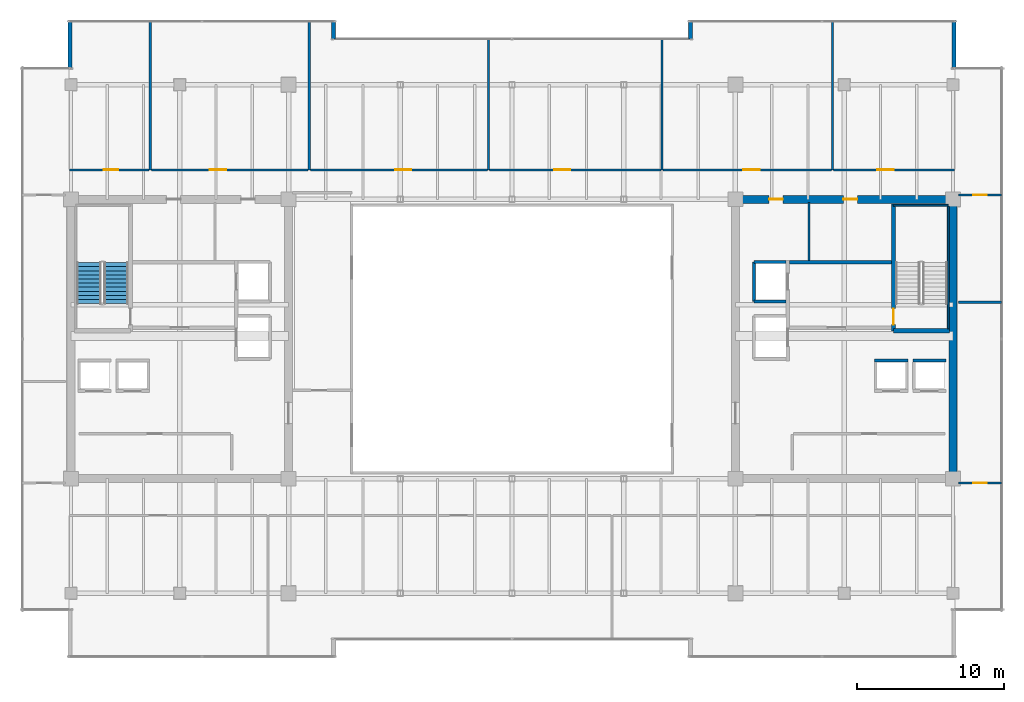
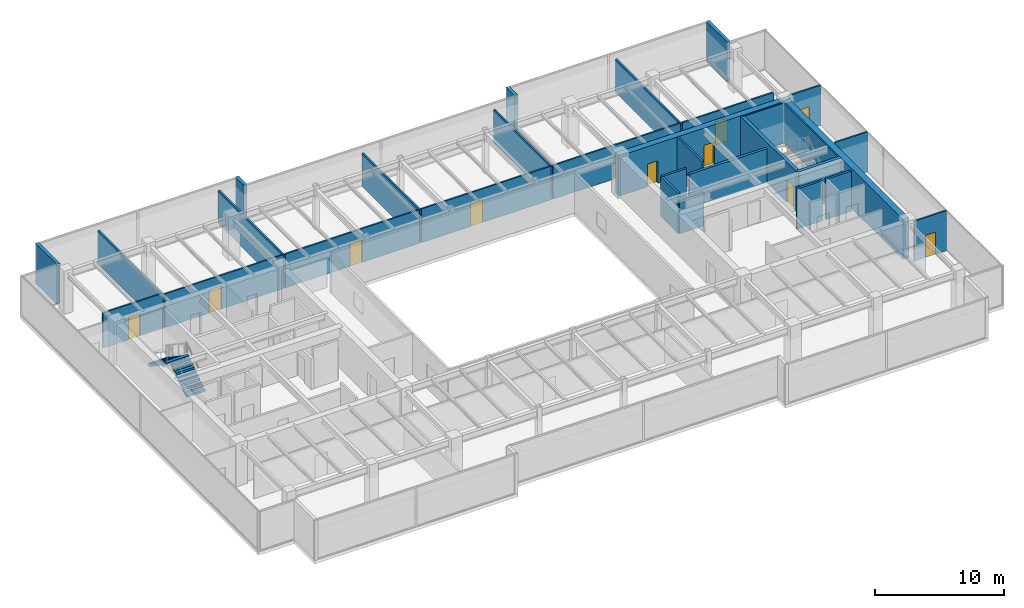
# One storey, part 30 of 35: 31 walls, 11 doors, 2 stair flights, 11 openings, 1 element without a shape of its own.
"""IFC4 building model written with IfcOpenShell, lengths in metres."""

from ifc_helpers import new_model, si_unit, direction, frame, frame_2d, origin, place, context, subcontext, project, spatial, polyline, rectangle, outline, extrude, source, transform, mapped, material, layer, layer_set, type_object, type_shapes, element, fill, aggregate, save


model = new_model("IFC4")

# Units and contexts
model_context = context("Model", 3, precision=1e-05, world=origin(), true_north=direction((0.0, 1.0)))
body_context = subcontext(model_context, "Body", "Model", "MODEL_VIEW")
ifc_project = project(units=[si_unit("LENGTHUNIT", "METRE"), si_unit("AREAUNIT", "SQUARE_METRE"), si_unit("VOLUMEUNIT", "CUBIC_METRE"), si_unit("PLANEANGLEUNIT", "RADIAN"), si_unit("MASSUNIT", "GRAM", prefix="KILO")], contexts=[model_context])

# Site, building, storey
site_placement = place(None, origin())
site = spatial("IfcSite", under=ifc_project, at=site_placement, CompositionType="ELEMENT")
building_placement = place(site_placement, origin())
building = spatial("IfcBuilding", under=site, at=building_placement, Name="Haelvirn Gate Laboratories", CompositionType="ELEMENT")
storey_placement = place(building_placement, frame((0.0, 0.0, 234.199951171875)))
storey = spatial("IfcBuildingStorey", under=building, at=storey_placement, Name="L56", CompositionType="ELEMENT", Elevation=234.199951171875)

# Walls
ifc_material_1 = material(Name="Thermally-broken bronze aluminium rainscreen & mineral wool", Category="aluminium")
ifc_layer_1 = layer(ifc_material_1, 0.280029296875, Name="EW-TERR-280")
ifc_layer_set_1 = layer_set([ifc_layer_1], Name="Thermally-broken bronze aluminium rainscreen & mineral wool")
wall_type_1 = type_object("IfcWallType", Name="EW-TERR-280", PredefinedType="STANDARD", material=ifc_layer_set_1)
wall_1_placement = place(storey_placement, frame((67.4599609375, 42.7119140625, 0.0), z_axis=(0.0, 0.0, 1.0), x_axis=(0.0, 1.0, 0.0)))
element("IfcWall", 1, at=wall_1_placement, inside=storey, type_object=wall_type_1, Name="L56 Atrium Recess Bronze Return Wall 09", PredefinedType="STANDARD", context=body_context, shape_type="SweptSolid", body=[
    extrude(rectangle(XDim=3.2880859375, YDim=0.280029296875, at=frame_2d((1.64404296875, 0.0))), origin(), (0.0, 0.0, 1.0), 3.800048828125),
])
for number, where, z_axis, x_axis, name in (
    (2, (49.5400390625, 46.0, 0.0), (0.0, 0.0, 1.0), (0.0, -1.0, 0.0), "L56 Atrium Recess Bronze Return Wall 11"),
    (3, (25.260009765625, 44.70703125, 0.0), (0.0, 0.0, 1.0), (0.0, 1.0, 0.0), "L56 Atrium Recess Bronze Return Wall 13"),
):
    element("IfcWall", number, at=place(storey_placement, frame(where, z_axis=z_axis, x_axis=x_axis)), inside=storey, type_object=wall_type_1, Name=name, PredefinedType="STANDARD", context=body_context, shape_type="SweptSolid", body=[
        extrude(rectangle(XDim=1.29296875, YDim=0.280029296875, at=frame_2d((0.646484375, 0.0))), origin(), (0.0, 0.0, 1.0), 3.800048828125),
    ])
wall_2_placement = place(storey_placement, frame((7.340087890625, 46.0, 0.0), z_axis=(0.0, 0.0, 1.0), x_axis=(0.0, -1.0, 0.0)))
element("IfcWall", 4, at=wall_2_placement, inside=storey, type_object=wall_type_1, Name="L56 Atrium Recess Bronze Return Wall 15", PredefinedType="STANDARD", context=body_context, shape_type="SweptSolid", body=[
    extrude(rectangle(XDim=3.2880859375, YDim=0.280029296875, at=frame_2d((1.64404296875, 0.0))), origin(), (0.0, 0.0, 1.0), 3.800048828125),
])
ifc_material_2 = material(Name="Double-layer acoustic gypsum laboratory partition", Category="gypsum")
ifc_layer_2 = layer(ifc_material_2, 0.159912109375, Name="IW-ACOUST-160")
ifc_layer_set_2 = layer_set([ifc_layer_2], Name="Double-layer acoustic gypsum laboratory partition")
wall_type_2 = type_object("IfcWallType", Name="IW-ACOUST-160", PredefinedType="PARTITIONING", material=ifc_layer_set_2)
for number, where, z_axis, x_axis, name in (
    (5, (12.800048828125, 35.81005859375, 0.0), (0.0, 0.0, 1.0), (0.0, 1.0, 0.0), "L56 Interior Wall IW-L56-NDIV-01"),
    (6, (23.60009765625, 35.81005859375, 0.0), (0.0, 0.0, 1.0), (0.0, 1.0, 0.0), "L56 Interior Wall IW-L56-NDIV-02"),
):
    element("IfcWall", number, at=place(storey_placement, frame(where, z_axis=z_axis, x_axis=x_axis)), inside=storey, type_object=wall_type_2, Name=name, PredefinedType="PARTITIONING", context=body_context, shape_type="SweptSolid", body=[
        extrude(rectangle(XDim=10.079833984375, YDim=0.159912109375, at=frame_2d((5.0400390625, 0.0))), origin(), (0.0, 0.0, 1.0), 3.135009765625),
    ])
for number, where, z_axis, x_axis, name in (
    (7, (35.800048828125, 35.81005859375, 0.0), (0.0, 0.0, 1.0), (0.0, 1.0, 0.0), "L56 Interior Wall IW-L56-NDIV-03"),
    (8, (47.60009765625, 35.81005859375, 0.0), (0.0, 0.0, 1.0), (0.0, 1.0, 0.0), "L56 Interior Wall IW-L56-NDIV-04"),
):
    element("IfcWall", number, at=place(storey_placement, frame(where, z_axis=z_axis, x_axis=x_axis)), inside=storey, type_object=wall_type_2, Name=name, PredefinedType="PARTITIONING", context=body_context, shape_type="SweptSolid", body=[
        extrude(rectangle(XDim=8.8798828125, YDim=0.159912109375, at=frame_2d((4.43994140625, 0.0))), origin(), (0.0, 0.0, 1.0), 3.135009765625),
    ])
wall_3_placement = place(storey_placement, frame((59.199951171875, 35.81005859375, 0.0), z_axis=(0.0, 0.0, 1.0), x_axis=(0.0, 1.0, 0.0)))
element("IfcWall", 9, at=wall_3_placement, inside=storey, type_object=wall_type_2, Name="L56 Interior Wall IW-L56-NDIV-05", PredefinedType="PARTITIONING", context=body_context, shape_type="SweptSolid", body=[
    extrude(rectangle(XDim=10.079833984375, YDim=0.159912109375, at=frame_2d((5.0400390625, 0.0))), origin(), (0.0, 0.0, 1.0), 3.135009765625),
])

# Wall, opening, door
ifc_material_3 = material(Name="Acoustic mineral-wool gypsum board partition", Category="gypsum")
ifc_layer_3 = layer(ifc_material_3, 0.139892578125, Name="IW-PART-140")
ifc_layer_set_3 = layer_set([ifc_layer_3], Name="Acoustic mineral-wool gypsum board partition")
wall_type_3 = type_object("IfcWallType", Name="IW-PART-140", PredefinedType="PARTITIONING", material=ifc_layer_set_3)
wall_4_placement = place(storey_placement, frame((7.31005859375, 35.81005859375, 0.0), z_axis=(0.0, 0.0, 1.0), x_axis=(1.0, 0.0, 0.0)))
wall_4 = element("IfcWall", 10, at=wall_4_placement, inside=storey, type_object=wall_type_3, Name="L56 Interior Wall IW-L56-NCORR-01", PredefinedType="PARTITIONING", context=body_context, shape_type="SweptSolid", body=[
    extrude(rectangle(XDim=5.409912109375, YDim=0.139892578125, at=frame_2d((2.705078125, 0.0))), origin(), (0.0, 0.0, 1.0), 3.3349609375),
])
opening_1_placement = place(wall_4_placement, frame((2.31640625, 0.0, 0.0)))
opening_1 = element("IfcOpeningElement", 11, at=opening_1_placement, cuts=wall_4, Name="Opening D2", PredefinedType="OPENING", context=body_context, shape_type="SweptSolid", body=[
    extrude(rectangle(XDim=1.0, YDim=2.14990234375, at=frame_2d((0.5, 1.074951171875))), frame((0.0, 0.080078125, 0.0), z_axis=(0.0, -1.0, 0.0), x_axis=(1.0, 0.0, 0.0)), (0.0, 0.0, 1.0), 0.159912109375),
])
ifc_material_4 = material(Name="Acoustic solid-core timber suite door", Category="wood")
door_type_1 = type_object("IfcDoorType", Name="DR-INT-1000", OperationType="NOTDEFINED", PredefinedType="DOOR", material=ifc_material_4)
shared_shape_1 = source(origin(), body_context, "Body", "SweptSolid", [
    extrude(rectangle(XDim=1.0, YDim=2.14990234375, at=frame_2d((0.5, 1.074951171875))), frame((0.0, 0.02490234375, 0.0), z_axis=(0.0, -1.0, 0.0), x_axis=(1.0, 0.0, 0.0)), (0.0, 0.0, 1.0), 0.050048828125),
])
type_shapes(door_type_1, [shared_shape_1])
door_1_placement = place(opening_1_placement, origin())
door_1 = element("IfcDoor", 12, at=door_1_placement, inside=storey, type_object=door_type_1, Name="L56 Protocol Briefing Training Room Door N1", OperationType="SINGLE_SWING_RIGHT", OverallHeight=2.14990234375, OverallWidth=1.0, PredefinedType="DOOR", context=body_context, shape_type="MappedRepresentation", body=[
    mapped(shared_shape_1, transform((0.0, 0.0, 0.0), scale=1.0)),
])
fill(opening_1, door_1)

wall_5_placement = place(storey_placement, frame((12.8798828125, 35.81005859375, 0.0), z_axis=(0.0, 0.0, 1.0), x_axis=(1.0, 0.0, 0.0)))
wall_5 = element("IfcWall", 13, at=wall_5_placement, inside=storey, type_object=wall_type_3, Name="L56 Interior Wall IW-L56-NCORR-02", PredefinedType="PARTITIONING", context=body_context, shape_type="SweptSolid", body=[
    extrude(rectangle(XDim=10.64013671875, YDim=0.139892578125, at=frame_2d((5.320068359375, 0.0))), origin(), (0.0, 0.0, 1.0), 3.197021484375),
])
opening_2_placement = place(wall_5_placement, frame((3.974365234375, 0.0, 0.0)))
opening_2 = element("IfcOpeningElement", 14, at=opening_2_placement, cuts=wall_5, Name="Opening D1", PredefinedType="OPENING", context=body_context, shape_type="SweptSolid", body=[
    extrude(rectangle(XDim=1.10009765625, YDim=2.179931640625, at=frame_2d((0.550048828125, 1.08984375))), frame((0.0, 0.080078125, 0.0), z_axis=(0.0, -1.0, 0.0), x_axis=(1.0, 0.0, 0.0)), (0.0, 0.0, 1.0), 0.159912109375),
])
ifc_material_5 = material(Name="Vision-panel acoustic solid-core timber lab door", Category="wood")
door_type_2 = type_object("IfcDoorType", Name="DR-LAB-1100", OperationType="NOTDEFINED", PredefinedType="DOOR", material=ifc_material_5)
shared_shape_2 = source(origin(), body_context, "Body", "SweptSolid", [
    extrude(rectangle(XDim=1.10009765625, YDim=2.179931640625, at=frame_2d((0.550048828125, 1.08984375))), frame((0.0, 0.02490234375, 0.0), z_axis=(0.0, -1.0, 0.0), x_axis=(1.0, 0.0, 0.0)), (0.0, 0.0, 1.0), 0.050048828125),
])
type_shapes(door_type_2, [shared_shape_2])
door_2_placement = place(opening_2_placement, origin())
door_2 = element("IfcDoor", 15, at=door_2_placement, inside=storey, type_object=door_type_2, Name="L56 Analytical Instrument Suite Door N2", OperationType="SINGLE_SWING_LEFT", OverallHeight=2.179931640625, OverallWidth=1.10009765625, PredefinedType="DOOR", context=body_context, shape_type="MappedRepresentation", body=[
    mapped(shared_shape_2, transform((0.0, 0.0, 0.0), scale=1.0)),
])
fill(opening_2, door_2)

wall_6_placement = place(storey_placement, frame((23.679931640625, 35.81005859375, 0.0), z_axis=(0.0, 0.0, 1.0), x_axis=(1.0, 0.0, 0.0)))
wall_6 = element("IfcWall", 16, at=wall_6_placement, inside=storey, type_object=wall_type_3, Name="L56 Interior Wall IW-L56-NCORR-03", PredefinedType="PARTITIONING", context=body_context, shape_type="SweptSolid", body=[
    extrude(rectangle(XDim=12.0400390625, YDim=0.139892578125, at=frame_2d((6.02001953125, 0.0))), origin(), (0.0, 0.0, 1.0), 3.197021484375),
])
opening_3_placement = place(wall_6_placement, frame((5.777099609375, 0.0, 0.0)))
opening_3 = element("IfcOpeningElement", 17, at=opening_3_placement, cuts=wall_6, Name="Opening D1", PredefinedType="OPENING", context=body_context, shape_type="SweptSolid", body=[
    extrude(rectangle(XDim=1.10009765625, YDim=2.179931640625, at=frame_2d((0.550048828125, 1.08984375))), frame((0.0, 0.080078125, 0.0), z_axis=(0.0, -1.0, 0.0), x_axis=(1.0, 0.0, 0.0)), (0.0, 0.0, 1.0), 0.159912109375),
])
door_3_placement = place(opening_3_placement, origin())
door_3 = element("IfcDoor", 18, at=door_3_placement, inside=storey, type_object=door_type_2, Name="L56 Cleanroom Metrology Suite Door N3", OperationType="SINGLE_SWING_RIGHT", OverallHeight=2.179931640625, OverallWidth=1.10009765625, PredefinedType="DOOR", context=body_context, shape_type="MappedRepresentation", body=[
    mapped(shared_shape_2, transform((0.0, 0.0, 0.0), scale=1.0)),
])
fill(opening_3, door_3)

wall_7_placement = place(storey_placement, frame((35.8798828125, 35.81005859375, 0.0), z_axis=(0.0, 0.0, 1.0), x_axis=(1.0, 0.0, 0.0)))
wall_7 = element("IfcWall", 19, at=wall_7_placement, inside=storey, type_object=wall_type_3, Name="L56 Interior Wall IW-L56-NCORR-04", PredefinedType="PARTITIONING", context=body_context, shape_type="SweptSolid", body=[
    extrude(rectangle(XDim=11.64013671875, YDim=0.139892578125, at=frame_2d((5.820068359375, 0.0))), origin(), (0.0, 0.0, 1.0), 3.197021484375),
])
opening_4_placement = place(wall_7_placement, frame((4.384521484375, 0.0, 0.0)))
opening_4 = element("IfcOpeningElement", 20, at=opening_4_placement, cuts=wall_7, Name="Opening D1", PredefinedType="OPENING", context=body_context, shape_type="SweptSolid", body=[
    extrude(rectangle(XDim=1.10009765625, YDim=2.179931640625, at=frame_2d((0.550048828125, 1.08984375))), frame((0.0, 0.080078125, 0.0), z_axis=(0.0, -1.0, 0.0), x_axis=(1.0, 0.0, 0.0)), (0.0, 0.0, 1.0), 0.159912109375),
])
door_4_placement = place(opening_4_placement, origin())
door_4 = element("IfcDoor", 21, at=door_4_placement, inside=storey, type_object=door_type_2, Name="L56 Cryo-EM Imaging Suite Door N4", OperationType="SINGLE_SWING_LEFT", OverallHeight=2.179931640625, OverallWidth=1.10009765625, PredefinedType="DOOR", context=body_context, shape_type="MappedRepresentation", body=[
    mapped(shared_shape_2, transform((0.0, 0.0, 0.0), scale=1.0)),
])
fill(opening_4, door_4)

wall_8_placement = place(storey_placement, frame((47.679931640625, 35.81005859375, 0.0), z_axis=(0.0, 0.0, 1.0), x_axis=(1.0, 0.0, 0.0)))
wall_8 = element("IfcWall", 22, at=wall_8_placement, inside=storey, type_object=wall_type_3, Name="L56 Interior Wall IW-L56-NCORR-05", PredefinedType="PARTITIONING", context=body_context, shape_type="SweptSolid", body=[
    extrude(rectangle(XDim=11.440185546875, YDim=0.139892578125, at=frame_2d((5.72021484375, 0.0))), origin(), (0.0, 0.0, 1.0), 3.197021484375),
])
opening_5_placement = place(wall_8_placement, frame((5.459228515625, 0.0, 0.0)))
opening_5 = element("IfcOpeningElement", 23, at=opening_5_placement, cuts=wall_8, Name="Opening D1", PredefinedType="OPENING", context=body_context, shape_type="SweptSolid", body=[
    extrude(rectangle(XDim=1.10009765625, YDim=2.179931640625, at=frame_2d((0.550048828125, 1.08984375))), frame((0.0, 0.080078125, 0.0), z_axis=(0.0, -1.0, 0.0), x_axis=(1.0, 0.0, 0.0)), (0.0, 0.0, 1.0), 0.159912109375),
])
door_5_placement = place(opening_5_placement, origin())
door_5 = element("IfcDoor", 24, at=door_5_placement, inside=storey, type_object=door_type_2, Name="L56 Analytical Instrument Suite Door N5", OperationType="SINGLE_SWING_RIGHT", OverallHeight=2.179931640625, OverallWidth=1.10009765625, PredefinedType="DOOR", context=body_context, shape_type="MappedRepresentation", body=[
    mapped(shared_shape_2, transform((0.0, 0.0, 0.0), scale=1.0)),
])
fill(opening_5, door_5)

wall_9_placement = place(storey_placement, frame((59.280029296875, 35.81005859375, 0.0), z_axis=(0.0, 0.0, 1.0), x_axis=(1.0, 0.0, 0.0)))
wall_9 = element("IfcWall", 25, at=wall_9_placement, inside=storey, type_object=wall_type_3, Name="L56 Interior Wall IW-L56-NCORR-06", PredefinedType="PARTITIONING", context=body_context, shape_type="SweptSolid", body=[
    extrude(rectangle(XDim=8.2099609375, YDim=0.139892578125, at=frame_2d((4.10498046875, 0.0))), origin(), (0.0, 0.0, 1.0), 3.197021484375),
])
opening_6_placement = place(wall_9_placement, frame((2.97802734375, 0.0, 0.0)))
opening_6 = element("IfcOpeningElement", 26, at=opening_6_placement, cuts=wall_9, Name="Opening D1", PredefinedType="OPENING", context=body_context, shape_type="SweptSolid", body=[
    extrude(rectangle(XDim=1.10009765625, YDim=2.179931640625, at=frame_2d((0.550048828125, 1.08984375))), frame((0.0, 0.080078125, 0.0), z_axis=(0.0, -1.0, 0.0), x_axis=(1.0, 0.0, 0.0)), (0.0, 0.0, 1.0), 0.159912109375),
])
door_6_placement = place(opening_6_placement, origin())
door_6 = element("IfcDoor", 27, at=door_6_placement, inside=storey, type_object=door_type_2, Name="L56 Bioinformatics Dry-Lab Workspace Door N6", OperationType="SINGLE_SWING_LEFT", OverallHeight=2.179931640625, OverallWidth=1.10009765625, PredefinedType="DOOR", context=body_context, shape_type="MappedRepresentation", body=[
    mapped(shared_shape_2, transform((0.0, 0.0, 0.0), scale=1.0)),
])
fill(opening_6, door_6)

# Wall
wall_10_placement = place(storey_placement, frame((67.780029296875, 26.800048828125, 0.0), z_axis=(0.0, 0.0, 1.0), x_axis=(1.0, 0.0, 0.0)))
element("IfcWall", 28, at=wall_10_placement, inside=storey, type_object=wall_type_3, Name="L56 Interior Wall IW-L56-EZ3-MID", PredefinedType="PARTITIONING", context=body_context, shape_type="SweptSolid", body=[
    extrude(rectangle(XDim=2.909912109375, YDim=0.139892578125, at=frame_2d((1.455078125, 0.0))), origin(), (0.0, 0.0, 1.0), 3.800048828125),
])

# Wall, opening, door
wall_11_placement = place(storey_placement, frame((67.780029296875, 14.5048828125, 0.0), z_axis=(0.0, 0.0, 1.0), x_axis=(1.0, 0.0, 0.0)))
wall_11 = element("IfcWall", 29, at=wall_11_placement, inside=storey, type_object=wall_type_3, Name="L56 Interior Wall IW-L56-EZ3-ENT-S", PredefinedType="PARTITIONING", context=body_context, shape_type="SweptSolid", body=[
    extrude(rectangle(XDim=2.909912109375, YDim=0.139892578125, at=frame_2d((1.455078125, 0.0))), origin(), (0.0, 0.0, 1.0), 3.800048828125),
])
opening_7_placement = place(wall_11_placement, frame((1.0048828125, 0.0, 0.0)))
opening_7 = element("IfcOpeningElement", 30, at=opening_7_placement, cuts=wall_11, Name="Opening D4", PredefinedType="OPENING", context=body_context, shape_type="SweptSolid", body=[
    extrude(rectangle(XDim=0.89990234375, YDim=2.10009765625, at=frame_2d((0.449951171875, 1.050048828125))), frame((0.0, 0.080078125, 0.0), z_axis=(0.0, -1.0, 0.0), x_axis=(1.0, 0.0, 0.0)), (0.0, 0.0, 1.0), 0.159912109375),
])
ifc_material_6 = material(Name="Glazed aluminium-framed write-up door", Category="aluminium")
door_type_3 = type_object("IfcDoorType", Name="DR-OFF-900", OperationType="NOTDEFINED", PredefinedType="DOOR", material=ifc_material_6)
shared_shape_3 = source(origin(), body_context, "Body", "SweptSolid", [
    extrude(rectangle(XDim=0.89990234375, YDim=2.10009765625, at=frame_2d((0.449951171875, 1.050048828125))), frame((0.0, 0.02490234375, 0.0), z_axis=(0.0, -1.0, 0.0), x_axis=(1.0, 0.0, 0.0)), (0.0, 0.0, 1.0), 0.050048828125),
])
type_shapes(door_type_3, [shared_shape_3])
door_7_placement = place(opening_7_placement, origin())
door_7 = element("IfcDoor", 31, at=door_7_placement, inside=storey, type_object=door_type_3, Name="L56 Researcher Break Pantry Door E-S", OperationType="SINGLE_SWING_LEFT", OverallHeight=2.10009765625, OverallWidth=0.89990234375, PredefinedType="DOOR", context=body_context, shape_type="MappedRepresentation", body=[
    mapped(shared_shape_3, transform((0.0, 0.0, 0.0), scale=1.0)),
])
fill(opening_7, door_7)

wall_12_placement = place(storey_placement, frame((67.780029296875, 34.094970703125, 0.0), z_axis=(0.0, 0.0, 1.0), x_axis=(1.0, 0.0, 0.0)))
wall_12 = element("IfcWall", 32, at=wall_12_placement, inside=storey, type_object=wall_type_3, Name="L56 Interior Wall IW-L56-EZ3-ENT-N", PredefinedType="PARTITIONING", context=body_context, shape_type="SweptSolid", body=[
    extrude(rectangle(XDim=2.909912109375, YDim=0.139892578125, at=frame_2d((1.455078125, 0.0))), origin(), (0.0, 0.0, 1.0), 3.800048828125),
])
opening_8_placement = place(wall_12_placement, frame((1.0048828125, 0.0, 0.0)))
opening_8 = element("IfcOpeningElement", 33, at=opening_8_placement, cuts=wall_12, Name="Opening D4", PredefinedType="OPENING", context=body_context, shape_type="SweptSolid", body=[
    extrude(rectangle(XDim=0.89990234375, YDim=2.10009765625, at=frame_2d((0.449951171875, 1.050048828125))), frame((0.0, 0.080078125, 0.0), z_axis=(0.0, -1.0, 0.0), x_axis=(1.0, 0.0, 0.0)), (0.0, 0.0, 1.0), 0.159912109375),
])
door_8_placement = place(opening_8_placement, origin())
door_8 = element("IfcDoor", 34, at=door_8_placement, inside=storey, type_object=door_type_3, Name="L56 Genomics Assay Laboratory Door E-N", OperationType="SINGLE_SWING_RIGHT", OverallHeight=2.10009765625, OverallWidth=0.89990234375, PredefinedType="DOOR", context=body_context, shape_type="MappedRepresentation", body=[
    mapped(shared_shape_3, transform((0.0, 0.0, 0.0), scale=1.0)),
])
fill(opening_8, door_8)

# Walls
ifc_material_7 = material(Name="Cement-board restroom plumbing chase wall", Category="gypsum")
ifc_layer_4 = layer(ifc_material_7, 0.155029296875, Name="IW-PLUMB-160")
ifc_layer_set_4 = layer_set([ifc_layer_4], Name="Cement-board restroom plumbing chase wall")
wall_type_4 = type_object("IfcWallType", Name="IW-PLUMB-160", PredefinedType="PLUMBINGWALL", material=ifc_layer_set_4)
wall_13_placement = place(storey_placement, frame((57.610107421875, 29.64990234375, 0.0), z_axis=(0.0, 0.0, 1.0), x_axis=(0.0, 1.0, 0.0)))
element("IfcWall", 35, at=wall_13_placement, inside=storey, type_object=wall_type_4, Name="L56 Interior Wall IW-L56-E-CDIV-1", PredefinedType="PLUMBINGWALL", context=body_context, shape_type="SweptSolid", body=[
    extrude(rectangle(XDim=3.93017578125, YDim=0.155029296875, at=frame_2d((1.965087890625, 0.0))), origin(), (0.0, 0.0, 1.0), 3.800048828125),
])
ifc_material_8 = material(Name="Concrete C40/50", Category="concrete")
ifc_layer_5 = layer(ifc_material_8, 0.199951171875, Name="IW-SHAFT-200")
ifc_layer_set_5 = layer_set([ifc_layer_5], Name="Concrete C40/50")
wall_type_5 = type_object("IfcWallType", Name="IW-SHAFT-200", PredefinedType="SOLIDWALL", material=ifc_layer_set_5)
for number, where, z_axis, x_axis, name in (
    (36, (64.669921875, 22.85009765625, 0.0), (0.0, 0.0, 1.0), (1.0, 0.0, 0.0), "L56 Interior Wall IW-L56-PL11-BK"),
    (37, (62.070068359375, 22.85009765625, 0.0), (0.0, 0.0, 1.0), (1.0, 0.0, 0.0), "L56 Interior Wall IW-L56-PL12-BK"),
):
    element("IfcWall", number, at=place(storey_placement, frame(where, z_axis=z_axis, x_axis=x_axis)), inside=storey, type_object=wall_type_5, Name=name, PredefinedType="SOLIDWALL", context=body_context, shape_type="SweptSolid", body=[
        extrude(rectangle(XDim=2.260009765625, YDim=0.199951171875, at=frame_2d((1.1298828125, 0.0))), origin(), (0.0, 0.0, 1.0), 3.800048828125),
    ])
wall_14_placement = place(storey_placement, frame((53.85009765625, 26.85009765625, 0.0), z_axis=(0.0, 0.0, 1.0), x_axis=(0.0, 1.0, 0.0)))
element("IfcWall", 38, at=wall_14_placement, inside=storey, type_object=wall_type_5, Name="L56 Interior Wall IW-L56-FL2-BK", PredefinedType="SOLIDWALL", context=body_context, shape_type="SweptSolid", body=[
    extrude(rectangle(XDim=2.699951171875, YDim=0.199951171875, at=frame_2d((1.35009765625, 0.0))), origin(), (0.0, 0.0, 1.0), 3.800048828125),
])
wall_15_placement = place(storey_placement, frame((53.85009765625, 29.550048828125, 0.0), z_axis=(0.0, 0.0, 1.0), x_axis=(1.0, 0.0, 0.0)))
element("IfcWall", 39, at=wall_15_placement, inside=storey, type_object=wall_type_5, Name="L56 Interior Wall IW-L56-FL2-N", PredefinedType="SOLIDWALL", context=body_context, shape_type="SweptSolid", body=[
    extrude(rectangle(XDim=2.18994140625, YDim=0.199951171875, at=frame_2d((1.094970703125, 0.0))), origin(), (0.0, 0.0, 1.0), 3.800048828125),
])
wall_16_placement = place(storey_placement, frame((53.85009765625, 26.85009765625, 0.0), z_axis=(0.0, 0.0, 1.0), x_axis=(1.0, 0.0, 0.0)))
element("IfcWall", 40, at=wall_16_placement, inside=storey, type_object=wall_type_5, Name="L56 Interior Wall IW-L56-FL2-S", PredefinedType="SOLIDWALL", context=body_context, shape_type="SweptSolid", body=[
    extrude(rectangle(XDim=2.18994140625, YDim=0.199951171875, at=frame_2d((1.094970703125, 0.0))), origin(), (0.0, 0.0, 1.0), 3.197021484375),
])
ifc_layer_6 = layer(ifc_material_8, 0.239990234375, Name="IW-SHAFT-240")
ifc_layer_set_6 = layer_set([ifc_layer_6], Name="Concrete C40/50")
wall_type_6 = type_object("IfcWallType", Name="IW-SHAFT-240", PredefinedType="SOLIDWALL", material=ifc_layer_set_6)
wall_17_placement = place(storey_placement, frame((56.280029296875, 29.52001953125, 0.0), z_axis=(0.0, 0.0, 1.0), x_axis=(1.0, 0.0, 0.0)))
element("IfcWall", 41, at=wall_17_placement, inside=storey, type_object=wall_type_6, Name="L56 Interior Wall IW-L56-E-FF-N", PredefinedType="SOLIDWALL", context=body_context, shape_type="SweptSolid", body=[
    extrude(rectangle(XDim=6.919921875, YDim=0.239990234375, at=frame_2d((3.4599609375, 0.0))), origin(), (0.0, 0.0, 1.0), 3.197021484375),
])

# Wall, openings, doors
ifc_material_9 = material(Name="Concrete C50/60", Category="concrete")
ifc_layer_7 = layer(ifc_material_9, 0.550048828125, Name="SW-CORE-550")
ifc_layer_set_7 = layer_set([ifc_layer_7], Name="Concrete C50/60")
wall_type_7 = type_object("IfcWallType", Name="SW-CORE-550", PredefinedType="SHEAR", material=ifc_layer_set_7)
wall_18_placement = place(storey_placement, frame((52.324951171875, 33.800048828125, 0.0), z_axis=(0.0, 0.0, 1.0), x_axis=(1.0, 0.0, 0.0)))
wall_18 = element("IfcWall", 42, at=wall_18_placement, inside=storey, type_object=wall_type_7, Name="L56 E Core Shear Wall N", PredefinedType="SHEAR", context=body_context, shape_type="SweptSolid", body=[
    extrude(rectangle(XDim=15.35009765625, YDim=0.550048828125, at=frame_2d((7.675048828125, 0.0))), origin(), (0.0, 0.0, 1.0), 3.800048828125),
])
opening_9_placement = place(wall_18_placement, frame((7.625, 0.0, 0.0)))
opening_9 = element("IfcOpeningElement", 43, at=opening_9_placement, cuts=wall_18, Name="Opening FD4", PredefinedType="OPENING", context=body_context, shape_type="SweptSolid", body=[
    extrude(rectangle(XDim=0.949951171875, YDim=2.14990234375, at=frame_2d((0.47509765625, 1.074951171875))), frame((0.0, 0.28515625, 0.0), z_axis=(0.0, -1.0, 0.0), x_axis=(1.0, 0.0, 0.0)), (0.0, 0.0, 1.0), 0.570068359375),
])
opening_10_placement = place(wall_18_placement, frame((2.56005859375, 0.0, 0.0)))
opening_10 = element("IfcOpeningElement", 44, at=opening_10_placement, cuts=wall_18, Name="Opening FD4", PredefinedType="OPENING", context=body_context, shape_type="SweptSolid", body=[
    extrude(rectangle(XDim=0.949951171875, YDim=2.14990234375, at=frame_2d((0.47509765625, 1.074951171875))), frame((0.0, 0.28515625, 0.0), z_axis=(0.0, -1.0, 0.0), x_axis=(1.0, 0.0, 0.0)), (0.0, 0.0, 1.0), 0.570068359375),
])
ifc_material_10 = material(Name="Fire-rated steel SM355 core service door", Category="steel")
door_type_4 = type_object("IfcDoorType", Name="DR-FD-950", OperationType="NOTDEFINED", PredefinedType="DOOR", material=ifc_material_10)
shared_shape_4 = source(origin(), body_context, "Body", "SweptSolid", [
    extrude(rectangle(XDim=0.949951171875, YDim=2.14990234375, at=frame_2d((0.47509765625, 1.074951171875))), frame((0.0, 0.02490234375, 0.0), z_axis=(0.0, -1.0, 0.0), x_axis=(1.0, 0.0, 0.0)), (0.0, 0.0, 1.0), 0.050048828125),
])
type_shapes(door_type_4, [shared_shape_4])
door_9_placement = place(opening_9_placement, origin())
door_9 = element("IfcDoor", 45, at=door_9_placement, inside=storey, type_object=door_type_4, Name="L56 All-Gender Multi-Stall Restroom Fire Door", OperationType="SINGLE_SWING_LEFT", OverallHeight=2.14990234375, OverallWidth=0.949951171875, PredefinedType="DOOR", context=body_context, shape_type="MappedRepresentation", body=[
    mapped(shared_shape_4, transform((0.0, 0.0, 0.0), scale=1.0)),
])
fill(opening_9, door_9)
door_10_placement = place(opening_10_placement, origin())
door_10 = element("IfcDoor", 46, at=door_10_placement, inside=storey, type_object=door_type_4, Name="L56 Accessible Restroom Fire Door", OperationType="SINGLE_SWING_RIGHT", OverallHeight=2.14990234375, OverallWidth=0.949951171875, PredefinedType="DOOR", context=body_context, shape_type="MappedRepresentation", body=[
    mapped(shared_shape_4, transform((0.0, 0.0, 0.0), scale=1.0)),
])
fill(opening_10, door_10)

# Walls
wall_19_placement = place(storey_placement, frame((67.39990234375, 15.074951171875, 0.0), z_axis=(0.0, 0.0, 1.0), x_axis=(0.0, 1.0, 0.0)))
element("IfcWall", 47, at=wall_19_placement, inside=storey, type_object=wall_type_7, Name="L56 E Core Shear Wall E", PredefinedType="SHEAR", context=body_context, shape_type="SweptSolid", body=[
    extrude(rectangle(XDim=18.449951171875, YDim=0.550048828125, at=frame_2d((9.22509765625, 0.0))), origin(), (0.0, 0.0, 1.0), 3.800048828125),
])
ifc_layer_8 = layer(ifc_material_9, 0.1201171875, Name="SW-LINER-120")
ifc_layer_set_8 = layer_set([ifc_layer_8], Name="Concrete C50/60")
wall_type_8 = type_object("IfcWallType", Name="SW-LINER-120", PredefinedType="SOLIDWALL", material=ifc_layer_set_8)
wall_20_placement = place(storey_placement, frame((63.35009765625, 33.39990234375, 0.0), z_axis=(0.0, 0.0, 1.0), x_axis=(1.0, 0.0, 0.0)))
element("IfcWall", 48, at=wall_20_placement, inside=storey, type_object=wall_type_8, Name="L56 E Core Stair Shaft Liner Wall N", PredefinedType="SOLIDWALL", context=body_context, shape_type="SweptSolid", body=[
    extrude(rectangle(XDim=3.719970703125, YDim=0.1201171875, at=frame_2d((1.85986328125, 0.0))), origin(), (0.0, 0.0, 1.0), 3.800048828125),
])
wall_21_placement = place(storey_placement, frame((67.070068359375, 25.0, 0.0), z_axis=(0.0, 0.0, 1.0), x_axis=(0.0, 1.0, 0.0)))
element("IfcWall", 49, at=wall_21_placement, inside=storey, type_object=wall_type_8, Name="L56 E Core Stair Shaft Liner Wall OUT", PredefinedType="SOLIDWALL", context=body_context, shape_type="SweptSolid", body=[
    extrude(rectangle(XDim=8.320068359375, YDim=0.1201171875, at=frame_2d((4.16015625, 0.0))), origin(), (0.0, 0.0, 1.0), 3.800048828125),
])

# Wall, opening, door
ifc_layer_9 = layer(ifc_material_9, 0.300048828125, Name="SW-STAIR-300")
ifc_layer_set_9 = layer_set([ifc_layer_9], Name="Concrete C50/60")
wall_type_9 = type_object("IfcWallType", Name="SW-STAIR-300", PredefinedType="SHEAR", material=ifc_layer_set_9)
wall_22_placement = place(storey_placement, frame((63.35009765625, 24.85009765625, 0.0), z_axis=(0.0, 0.0, 1.0), x_axis=(0.0, 1.0, 0.0)))
wall_22 = element("IfcWall", 50, at=wall_22_placement, inside=storey, type_object=wall_type_9, Name="L56 E Core Stair Shaft Structural Wall IN", PredefinedType="SHEAR", context=body_context, shape_type="SweptSolid", body=[
    extrude(rectangle(XDim=8.6298828125, YDim=0.300048828125, at=frame_2d((4.31494140625, 0.0))), origin(), (0.0, 0.0, 1.0), 3.800048828125),
])
opening_11_placement = place(wall_22_placement, frame((0.419921875, 0.0, 0.0)))
opening_11 = element("IfcOpeningElement", 51, at=opening_11_placement, cuts=wall_22, Name="Opening FD3", PredefinedType="OPENING", context=body_context, shape_type="SweptSolid", body=[
    extrude(rectangle(XDim=1.10009765625, YDim=2.14990234375, at=frame_2d((0.550048828125, 1.074951171875))), frame((0.0, 0.16015625, 0.0), z_axis=(0.0, -1.0, 0.0), x_axis=(1.0, 0.0, 0.0)), (0.0, 0.0, 1.0), 0.320068359375),
])
ifc_material_11 = material(Name="Fire-rated steel SM355 escape stair door", Category="steel")
door_type_5 = type_object("IfcDoorType", Name="DR-FD-1100", OperationType="NOTDEFINED", PredefinedType="DOOR", material=ifc_material_11)
shared_shape_5 = source(origin(), body_context, "Body", "SweptSolid", [
    extrude(rectangle(XDim=1.10009765625, YDim=2.14990234375, at=frame_2d((0.550048828125, 1.074951171875))), frame((0.0, 0.02490234375, 0.0), z_axis=(0.0, -1.0, 0.0), x_axis=(1.0, 0.0, 0.0)), (0.0, 0.0, 1.0), 0.050048828125),
])
type_shapes(door_type_5, [shared_shape_5])
door_11_placement = place(opening_11_placement, origin())
door_11 = element("IfcDoor", 52, at=door_11_placement, inside=storey, type_object=door_type_5, Name="L56 Escape Stair ST2 Fire Door", OperationType="SINGLE_SWING_RIGHT", OverallHeight=2.14990234375, OverallWidth=1.10009765625, PredefinedType="DOOR", context=body_context, shape_type="MappedRepresentation", body=[
    mapped(shared_shape_5, transform((0.0, 0.0, 0.0), scale=1.0)),
])
fill(opening_11, door_11)

# Wall
wall_23_placement = place(storey_placement, frame((63.35009765625, 24.85009765625, 0.0), z_axis=(0.0, 0.0, 1.0), x_axis=(1.0, 0.0, 0.0)))
element("IfcWall", 53, at=wall_23_placement, inside=storey, type_object=wall_type_9, Name="L56 E Core Stair Shaft Structural Wall S", PredefinedType="SHEAR", context=body_context, shape_type="SweptSolid", body=[
    extrude(rectangle(XDim=3.7998046875, YDim=0.300048828125, at=frame_2d((1.89990234375, 0.0))), origin(), (0.0, 0.0, 1.0), 3.800048828125),
])

# Stair, stair flights
stair_type = type_object("IfcStairType", Name="ST-DOG-1650-R22", PredefinedType="HALF_TURN_STAIR", material=ifc_material_8)
stair_placement = place(storey_placement, origin())
stair = element("IfcStair", 54, at=stair_placement, inside=storey, type_object=stair_type, Name="L56 Escape Stair ST1", PredefinedType="HALF_TURN_STAIR")
stair_flight_type = type_object("IfcStairFlightType", Name="STF-1650-R11", PredefinedType="STRAIGHT", material=ifc_material_8)
shared_shape_6 = source(origin(), body_context, "Body", "SweptSolid", [
    extrude(outline(polyline([(0.0, 0.0), (0.0, 0.186279296875), (0.280029296875, 0.186279296875), (0.280029296875, 0.372802734375), (0.56005859375, 0.372802734375), (0.56005859375, 0.55908203125), (0.840087890625, 0.55908203125), (0.840087890625, 0.745361328125), (1.1201171875, 0.745361328125), (1.1201171875, 0.931884765625), (1.39990234375, 0.931884765625), (1.39990234375, 1.1181640625), (1.679931640625, 1.1181640625), (1.679931640625, 1.304443359375), (1.9599609375, 1.304443359375), (1.9599609375, 1.490966796875), (2.239990234375, 1.490966796875), (2.239990234375, 1.67724609375), (2.52001953125, 1.67724609375), (2.52001953125, 1.863525390625), (2.800048828125, 1.863525390625), (2.800048828125, 2.050048828125), (2.800048828125, 1.671630859375), (0.28857421875, 0.0), (0.0, 0.0)])), frame((0.0, 0.824951171875, 0.0), z_axis=(0.0, -1.0, 0.0), x_axis=(1.0, 0.0, 0.0)), (0.0, 0.0, 1.0), 1.64990234375),
])
type_shapes(stair_flight_type, [shared_shape_6])
stair_flight_1_placement = place(storey_placement, frame((10.47509765625, 26.699951171875, 0.0), z_axis=(0.0, 0.0, 1.0), x_axis=(0.0, 1.0, 0.0)))
stair_flight_1 = element("IfcStairFlight", 55, at=stair_flight_1_placement, type_object=stair_flight_type, Name="ST1 flight 1", NumberOfRisers=11, NumberOfTreads=10, PredefinedType="STRAIGHT", RiserHeight=0.186363636, TreadLength=0.28, context=body_context, shape_type="MappedRepresentation", body=[
    mapped(shared_shape_6, transform((0.0, 0.0, 0.0), scale=1.0)),
])
stair_flight_2_placement = place(storey_placement, frame((8.625, 29.5, 2.050048828125), z_axis=(0.0, 0.0, 1.0), x_axis=(0.0, -1.0, 0.0)))
stair_flight_2 = element("IfcStairFlight", 56, at=stair_flight_2_placement, type_object=stair_flight_type, Name="ST1 flight 2", NumberOfRisers=11, NumberOfTreads=10, PredefinedType="STRAIGHT", RiserHeight=0.186363636, TreadLength=0.28, context=body_context, shape_type="MappedRepresentation", body=[
    mapped(shared_shape_6, transform((0.0, 0.0, 0.0), scale=1.0)),
])
aggregate(stair, [stair_flight_1, stair_flight_2])

save(model, "model.ifc")
